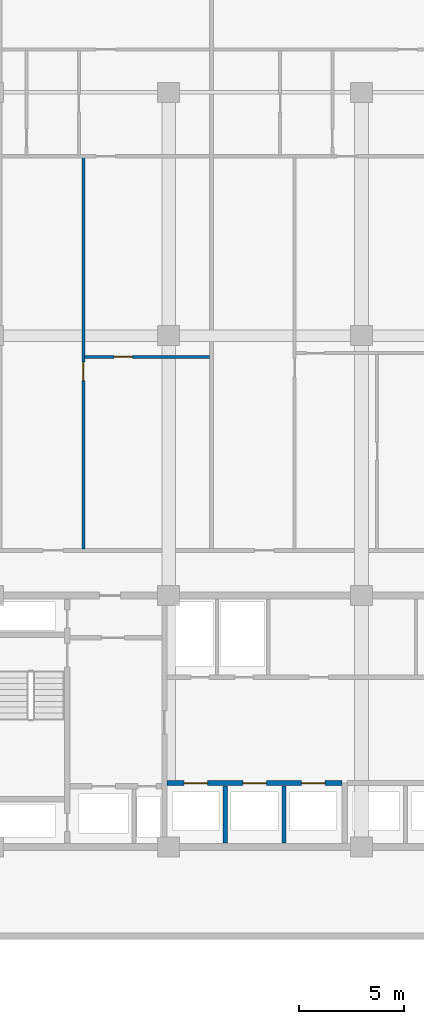
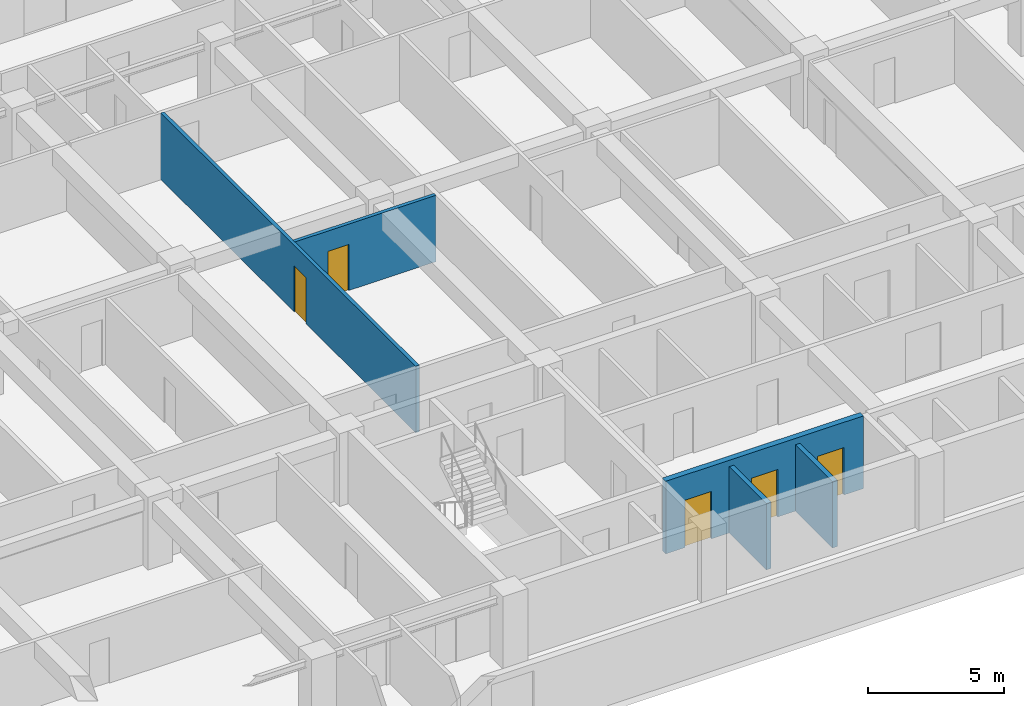
# One storey, part 10 of 23: 5 doors, 5 walls, 5 openings.
"""IFC4 building model written with IfcOpenShell, lengths in metres."""

from ifc_helpers import new_model, si_unit, direction, frame, frame_2d, origin, place, context, subcontext, project, spatial, rectangle, extrude, material, layer, layer_set, type_object, element, fill, save


model = new_model("IFC4")

# Units and contexts
model_context = context("Model", 3, precision=1e-05, world=origin(), true_north=direction((0.0, 1.0)))
body_context = subcontext(model_context, "Body", "Model", "MODEL_VIEW")
ifc_project = project(units=[si_unit("LENGTHUNIT", "METRE"), si_unit("AREAUNIT", "SQUARE_METRE"), si_unit("VOLUMEUNIT", "CUBIC_METRE"), si_unit("PLANEANGLEUNIT", "RADIAN"), si_unit("MASSUNIT", "GRAM", prefix="KILO")], contexts=[model_context])

# Site, building, storey
site_placement = place(None, origin())
site = spatial("IfcSite", under=ifc_project, at=site_placement, CompositionType="ELEMENT")
building_placement = place(site_placement, origin())
building = spatial("IfcBuilding", under=site, at=building_placement, Name="Korimba Cascade Residences", CompositionType="ELEMENT")
storey_placement = place(building_placement, frame((0.0, 0.0, 27.25)))
storey = spatial("IfcBuildingStorey", under=building, at=storey_placement, Name="L06", CompositionType="ELEMENT", Elevation=27.25)

# Wall, opening, door
ifc_material_1 = material(Name="Insulated Acoustic Stud Partition", Category="gypsum")
ifc_layer_1 = layer(ifc_material_1, 0.14990234375)
ifc_layer_set_1 = layer_set([ifc_layer_1], Name="Insulated Acoustic Stud Partition")
wall_type_1 = type_object("IfcWallType", Name="WAL-PART-150", PredefinedType="PARTITIONING", material=ifc_layer_set_1)
wall_1_placement = place(storey_placement, frame((80.49365234375, 78.580078125, 0.0), z_axis=(0.0, 0.0, 1.0), x_axis=(1.0, 0.0, 0.0)))
wall_1 = element("IfcWall", 1, at=wall_1_placement, inside=storey, type_object=wall_type_1, Name="L06 Partition Wall WAL-L06-T1-U03-FMH", PredefinedType="PARTITIONING", context=body_context, shape_type="SweptSolid", body=[
    extrude(rectangle(XDim=5.9677734375, YDim=0.14990234375, at=frame_2d((2.98388671875, 0.0))), origin(), (0.0, 0.0, 1.0), 2.969970703125),
])
opening_1_placement = place(wall_1_placement, frame((1.403076171875, 0.0, 0.0)))
opening_1 = element("IfcOpeningElement", 2, at=opening_1_placement, cuts=wall_1, Name="Opening D-IN2", PredefinedType="OPENING", context=body_context, shape_type="SweptSolid", body=[
    extrude(rectangle(XDim=0.8798828125, YDim=2.06005859375, at=frame_2d((0.43994140625, 1.030029296875))), frame((0.0, 0.0849609375, 0.0), z_axis=(0.0, -1.0, 0.0), x_axis=(1.0, 0.0, 0.0)), (0.0, 0.0, 1.0), 0.169921875),
])
ifc_material_2 = material(Name="Acoustic Timber Bedroom Door", Category="wood")
door_type_1 = type_object("IfcDoorType", Name="DR-INT-880", OperationType="NOTDEFINED", PredefinedType="DOOR", material=ifc_material_2)
door_1_placement = place(opening_1_placement, origin())
door_1 = element("IfcDoor", 3, at=door_1_placement, inside=storey, type_object=door_type_1, Name="L06-T1-U03 Library Salon Door", OperationType="SINGLE_SWING_LEFT", OverallHeight=2.06005859375, OverallWidth=0.8798828125, PredefinedType="DOOR", context=body_context, shape_type="SweptSolid", body=[
    extrude(rectangle(XDim=0.8798828125, YDim=2.06005859375, at=frame_2d((0.43994140625, 1.030029296875))), frame((0.0, 0.02490234375, 0.0), z_axis=(0.0, -1.0, 0.0), x_axis=(1.0, 0.0, 0.0)), (0.0, 0.0, 1.0), 0.050048828125),
])
fill(opening_1, door_1)

wall_2_placement = place(storey_placement, frame((80.43359375, 69.409912109375, 0.0), z_axis=(0.0, 0.0, 1.0), x_axis=(0.0, 1.0, 0.0)))
wall_2 = element("IfcWall", 4, at=wall_2_placement, inside=storey, type_object=wall_type_1, Name="L06 Partition Wall WAL-L06-T1-U03-FV", PredefinedType="PARTITIONING", context=body_context, shape_type="SweptSolid", body=[
    extrude(rectangle(XDim=18.7001953125, YDim=0.14990234375, at=frame_2d((9.35009765625, 0.0))), origin(), (0.0, 0.0, 1.0), 2.969970703125),
])
opening_2_placement = place(wall_2_placement, frame((8.0400390625, 0.0, 0.0)))
opening_2 = element("IfcOpeningElement", 5, at=opening_2_placement, cuts=wall_2, Name="Opening D-IN2", PredefinedType="OPENING", context=body_context, shape_type="SweptSolid", body=[
    extrude(rectangle(XDim=0.8798828125, YDim=2.06005859375, at=frame_2d((0.43994140625, 1.030029296875))), frame((0.0, 0.0849609375, 0.0), z_axis=(0.0, -1.0, 0.0), x_axis=(1.0, 0.0, 0.0)), (0.0, 0.0, 1.0), 0.169921875),
])
door_2_placement = place(opening_2_placement, origin())
door_2 = element("IfcDoor", 6, at=door_2_placement, inside=storey, type_object=door_type_1, Name="L06-T1-U03 Media Lounge Door", OperationType="SINGLE_SWING_RIGHT", OverallHeight=2.06005859375, OverallWidth=0.8798828125, PredefinedType="DOOR", context=body_context, shape_type="SweptSolid", body=[
    extrude(rectangle(XDim=0.8798828125, YDim=2.06005859375, at=frame_2d((0.43994140625, 1.030029296875))), frame((0.0, 0.02490234375, 0.0), z_axis=(0.0, -1.0, 0.0), x_axis=(1.0, 0.0, 0.0)), (0.0, 0.0, 1.0), 0.050048828125),
])
fill(opening_2, door_2)

# Walls
ifc_material_3 = material(Name="Concrete C40/50", Category="concrete")
ifc_layer_2 = layer(ifc_material_3, 0.199951171875)
ifc_layer_set_2 = layer_set([ifc_layer_2], Name="Concrete C40/50")
wall_type_2 = type_object("IfcWallType", Name="WAL-PART-200", PredefinedType="PARTITIONING", material=ifc_layer_set_2)
for number, where, z_axis, x_axis, name in (
    (7, (87.199951171875, 55.39990234375, 0.0), (0.0, 0.0, 1.0), (0.0, 1.0, 0.0), "L06 Partition Wall CW-L06-T1-B1D1"),
    (8, (90.0, 55.39990234375, 0.0), (0.0, 0.0, 1.0), (0.0, 1.0, 0.0), "L06 Partition Wall CW-L06-T1-B1D2"),
):
    element("IfcWall", number, at=place(storey_placement, frame(where, z_axis=z_axis, x_axis=x_axis)), inside=storey, type_object=wall_type_2, Name=name, PredefinedType="PARTITIONING", context=body_context, shape_type="SweptSolid", body=[
        extrude(rectangle(XDim=2.72021484375, YDim=0.199951171875, at=frame_2d((1.360107421875, 0.0))), origin(), (0.0, 0.0, 1.0), 2.969970703125),
    ])

# Wall, openings, doors
ifc_material_4 = material(Name="Concrete C50/60", Category="concrete")
ifc_layer_3 = layer(ifc_material_4, 0.25)
ifc_layer_set_3 = layer_set([ifc_layer_3], Name="Concrete C50/60")
wall_type_3 = type_object("IfcWallType", Name="WAL-SHAFT-250", PredefinedType="SHEAR", material=ifc_layer_set_3)
wall_3_placement = place(storey_placement, frame((84.419921875, 58.25, 0.0), z_axis=(0.0, 0.0, 1.0), x_axis=(1.0, 0.0, 0.0)))
wall_3 = element("IfcWall", 9, at=wall_3_placement, inside=storey, type_object=wall_type_3, Name="L06 Core Shear Wall CW-L06-T1-B1N", PredefinedType="SHEAR", context=body_context, shape_type="SweptSolid", body=[
    extrude(rectangle(XDim=8.360107421875, YDim=0.25, at=frame_2d((4.18017578125, 0.0))), origin(), (0.0, 0.0, 1.0), 3.25),
])
opening_3_placement = place(wall_3_placement, frame((0.820068359375, 0.0, 0.0)))
opening_3 = element("IfcOpeningElement", 10, at=opening_3_placement, cuts=wall_3, Name="Opening LD-01", PredefinedType="OPENING", context=body_context, shape_type="SweptSolid", body=[
    extrude(rectangle(XDim=1.1201171875, YDim=2.1201171875, at=frame_2d((0.56005859375, 1.06005859375))), frame((0.0, 0.135009765625, 0.0), z_axis=(0.0, -1.0, 0.0), x_axis=(1.0, 0.0, 0.0)), (0.0, 0.0, 1.0), 0.27001953125),
])
opening_4_placement = place(wall_3_placement, frame((3.6201171875, 0.0, 0.0)))
opening_4 = element("IfcOpeningElement", 11, at=opening_4_placement, cuts=wall_3, Name="Opening LD-01", PredefinedType="OPENING", context=body_context, shape_type="SweptSolid", body=[
    extrude(rectangle(XDim=1.1201171875, YDim=2.1201171875, at=frame_2d((0.56005859375, 1.06005859375))), frame((0.0, 0.135009765625, 0.0), z_axis=(0.0, -1.0, 0.0), x_axis=(1.0, 0.0, 0.0)), (0.0, 0.0, 1.0), 0.27001953125),
])
opening_5_placement = place(wall_3_placement, frame((6.419921875, 0.0, 0.0)))
opening_5 = element("IfcOpeningElement", 12, at=opening_5_placement, cuts=wall_3, Name="Opening LD-01", PredefinedType="OPENING", context=body_context, shape_type="SweptSolid", body=[
    extrude(rectangle(XDim=1.1201171875, YDim=2.1201171875, at=frame_2d((0.56005859375, 1.06005859375))), frame((0.0, 0.135009765625, 0.0), z_axis=(0.0, -1.0, 0.0), x_axis=(1.0, 0.0, 0.0)), (0.0, 0.0, 1.0), 0.27001953125),
])
ifc_material_5 = material(Name="Stainless Steel Lift Landing Sliding Door", Category="steel")
door_type_2 = type_object("IfcDoorType", Name="DR-LIFT-1100", OperationType="NOTDEFINED", PredefinedType="DOOR", material=ifc_material_5)
door_3_placement = place(opening_3_placement, origin())
door_3 = element("IfcDoor", 13, at=door_3_placement, inside=storey, type_object=door_type_2, Name="L06 Lift Landing Door PL-W1", OperationType="SLIDING_TO_LEFT", OverallHeight=2.1201171875, OverallWidth=1.1201171875, PredefinedType="DOOR", context=body_context, shape_type="SweptSolid", body=[
    extrude(rectangle(XDim=1.1201171875, YDim=2.1201171875, at=frame_2d((0.56005859375, 1.06005859375))), frame((0.0, 0.02490234375, 0.0), z_axis=(0.0, -1.0, 0.0), x_axis=(1.0, 0.0, 0.0)), (0.0, 0.0, 1.0), 0.050048828125),
])
fill(opening_3, door_3)
door_4_placement = place(opening_4_placement, origin())
door_4 = element("IfcDoor", 14, at=door_4_placement, inside=storey, type_object=door_type_2, Name="L06 Lift Landing Door PL-W2", OperationType="SLIDING_TO_LEFT", OverallHeight=2.1201171875, OverallWidth=1.1201171875, PredefinedType="DOOR", context=body_context, shape_type="SweptSolid", body=[
    extrude(rectangle(XDim=1.1201171875, YDim=2.1201171875, at=frame_2d((0.56005859375, 1.06005859375))), frame((0.0, 0.02490234375, 0.0), z_axis=(0.0, -1.0, 0.0), x_axis=(1.0, 0.0, 0.0)), (0.0, 0.0, 1.0), 0.050048828125),
])
fill(opening_4, door_4)
door_5_placement = place(opening_5_placement, origin())
door_5 = element("IfcDoor", 15, at=door_5_placement, inside=storey, type_object=door_type_2, Name="L06 Lift Landing Door PL-W3", OperationType="SLIDING_TO_LEFT", OverallHeight=2.1201171875, OverallWidth=1.1201171875, PredefinedType="DOOR", context=body_context, shape_type="SweptSolid", body=[
    extrude(rectangle(XDim=1.1201171875, YDim=2.1201171875, at=frame_2d((0.56005859375, 1.06005859375))), frame((0.0, 0.02490234375, 0.0), z_axis=(0.0, -1.0, 0.0), x_axis=(1.0, 0.0, 0.0)), (0.0, 0.0, 1.0), 0.050048828125),
])
fill(opening_5, door_5)

save(model, "model.ifc")
